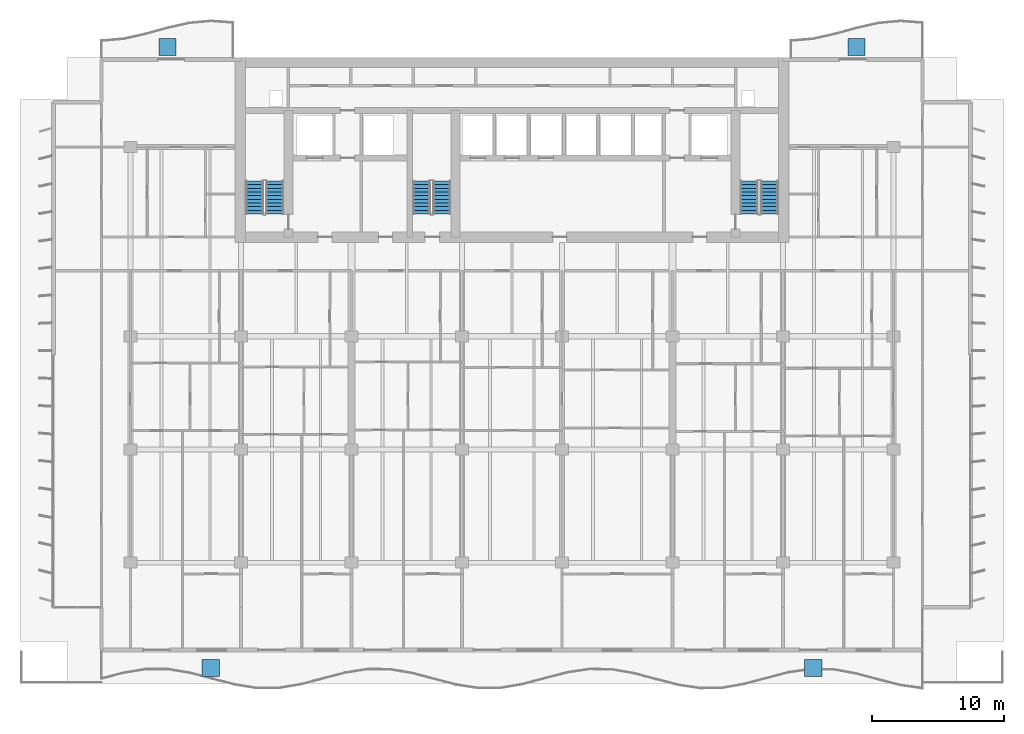
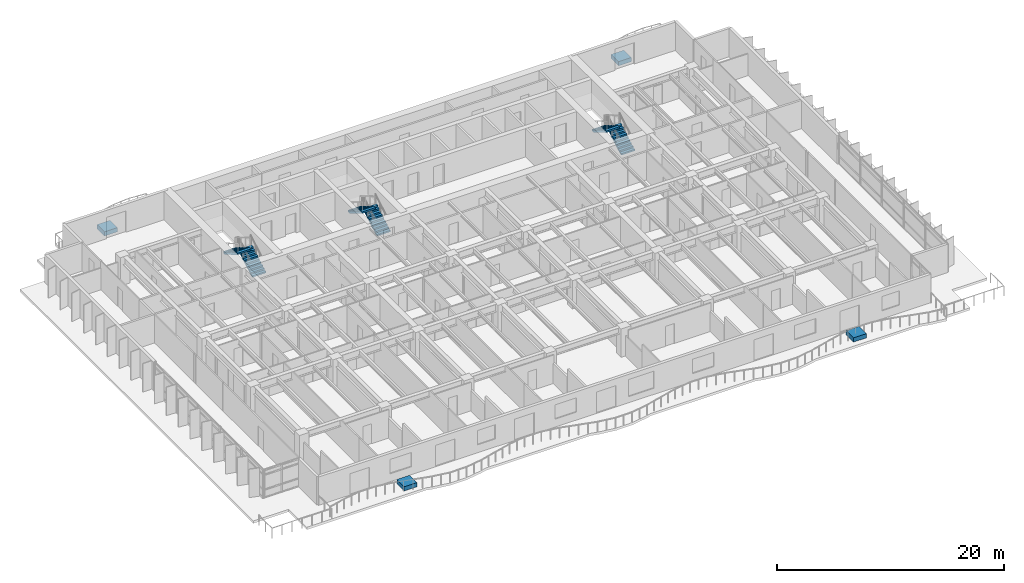
# One storey, part 13 of 17: 6 stair flights, 4 discrete accessories, 3 elements without a shape of their own.
"""IFC4 building model written with IfcOpenShell, lengths in metres."""

import ifcopenshell
import ifcopenshell.guid

model = None  # the IFC model being written
_history = None  # IfcOwnerHistory: only IFC2X3 demands one
_inside = {}  # id of a spatial element -> (the spatial element, [elements in it])
_under = {}  # id of a project, library or spatial element -> (it, [spatial elements below it])
_declared = {}  # id of a project -> (the project, [libraries it declares])
_typed = {}  # id of a type object -> (the type object, [elements of that type])
_made_of = {}  # id of a material, layer set ... -> (it, [elements and type objects made of it])


def new_model(schema):
    """Start an empty IFC model of exactly this schema.

    Asked for "IFC4X3", IfcOpenShell would pick the latest addendum, in which some entities
    have other attributes; the version numbers below select the first issue.
    IFC2X3 requires an IfcOwnerHistory on every rooted entity: one is made here for all.
    """
    global model, _history
    if schema == "IFC4X3":
        model = ifcopenshell.file(schema_version=(4, 3, 0, 0))
    else:
        model = ifcopenshell.file(schema=schema)
    _inside.clear()
    _under.clear()
    _declared.clear()
    _typed.clear()
    _made_of.clear()
    _history = None
    if model.schema == "IFC2X3":
        org = make("IfcOrganization", Name="unknown")
        user = make(
            "IfcPersonAndOrganization",
            ThePerson=make("IfcPerson", FamilyName="unknown"),
            TheOrganization=org,
        )
        app = make(
            "IfcApplication",
            ApplicationDeveloper=org,
            Version="unknown",
            ApplicationFullName="unknown",
            ApplicationIdentifier="unknown",
        )
        _history = make(
            "IfcOwnerHistory",
            OwningUser=user,
            OwningApplication=app,
            ChangeAction="ADDED",
            CreationDate=0,
        )
    return model


def make(cls, **values):
    """One entity of the class cls with the attributes given. An attribute that is None is left unset."""
    return model.create_entity(
        cls, **{name: value for name, value in values.items() if value is not None}
    )


def rooted(cls, **values):
    """An entity with a GlobalId (a new one), such as an element, a storey or a relation."""
    return make(cls, GlobalId=ifcopenshell.guid.new(), OwnerHistory=_history, **values)


def si_unit(unit_type, name, prefix=None):
    """IfcSIUnit, for example si_unit("LENGTHUNIT", "METRE", prefix="MILLI")."""
    return make("IfcSIUnit", UnitType=unit_type, Prefix=prefix, Name=name)


def assignment(units):
    """IfcUnitAssignment: the units of a project."""
    return None if units is None else make("IfcUnitAssignment", Units=units)


def point(xyz):
    """IfcCartesianPoint."""
    return None if xyz is None else make("IfcCartesianPoint", Coordinates=xyz)


def direction(xyz):
    """IfcDirection."""
    return None if xyz is None else make("IfcDirection", DirectionRatios=xyz)


def frame(location, z_axis=None, x_axis=None):
    """IfcAxis2Placement3D, a coordinate frame: its origin and axes. An axis left out is left unset."""
    return make(
        "IfcAxis2Placement3D",
        Location=point(location),
        Axis=direction(z_axis),
        RefDirection=direction(x_axis),
    )


def frame_2d(location, x_axis=None):
    """IfcAxis2Placement2D, a coordinate frame in the plane: its origin and x axis."""
    return make(
        "IfcAxis2Placement2D", Location=point(location), RefDirection=direction(x_axis)
    )


def origin():
    """The frame at (0, 0, 0) with its axes left unset."""
    return frame((0.0, 0.0, 0.0))


def origin_2d():
    """The frame at (0, 0) in the plane with its x axis left unset."""
    return frame_2d((0.0, 0.0))


def place(relative_to, where):
    """IfcLocalPlacement: puts the frame where relative to a parent placement (None: the world)."""
    return make(
        "IfcLocalPlacement", PlacementRelTo=relative_to, RelativePlacement=where
    )


def context(
    kind, dimensions, precision=None, world=None, true_north=None, identifier=None
):
    """IfcGeometricRepresentationContext, for example the 3D "Model" context."""
    return make(
        "IfcGeometricRepresentationContext",
        ContextIdentifier=identifier,
        ContextType=kind,
        CoordinateSpaceDimension=dimensions,
        Precision=precision,
        WorldCoordinateSystem=world,
        TrueNorth=true_north,
    )


def subcontext(parent, identifier, kind, view, scale=None):
    """IfcGeometricRepresentationSubContext, for example "Body" below "Model"."""
    return make(
        "IfcGeometricRepresentationSubContext",
        ContextIdentifier=identifier,
        ContextType=kind,
        ParentContext=parent,
        TargetScale=scale,
        TargetView=view,
    )


def project(units=None, contexts=None):
    """IfcProject with its units and contexts."""
    return rooted(
        "IfcProject",
        Name="project",
        RepresentationContexts=contexts,
        UnitsInContext=assignment(units),
    )


def spatial(cls, under=None, at=None, **own):
    """A site, building, storey or space (cls), placed at a placement, below another one or the project."""
    s = rooted(cls, ObjectPlacement=at, **own)
    if under is not None:
        _under.setdefault(under.id(), (under, []))[1].append(s)
    return s


def polyline(points):
    """IfcPolyline through the points."""
    return make("IfcPolyline", Points=[point(p) for p in points])


def profile(cls, at=None, kind="AREA", **sizes):
    """A parametric profile (cls). Its sizes go by their IFC names, for example OverallWidth=200.0."""
    return make(cls, ProfileType=kind, Position=at, **sizes)


def rectangle(**sizes):
    """IfcRectangleProfileDef."""
    return profile("IfcRectangleProfileDef", **sizes)


def outline(outer, holes=None, kind="AREA"):
    """IfcArbitraryClosedProfileDef: a profile drawn as a closed curve; with holes, ...WithVoids."""
    if holes is None:
        return make("IfcArbitraryClosedProfileDef", ProfileType=kind, OuterCurve=outer)
    return make(
        "IfcArbitraryProfileDefWithVoids",
        ProfileType=kind,
        OuterCurve=outer,
        InnerCurves=holes,
    )


def extrude(swept, where, along, depth):
    """IfcExtrudedAreaSolid: the profile swept, set in the frame where, extruded along a direction by depth."""
    return make(
        "IfcExtrudedAreaSolid",
        SweptArea=swept,
        Position=where,
        ExtrudedDirection=direction(along),
        Depth=depth,
    )


def shape(context_of_items, identifier, shape_type, items):
    """IfcShapeRepresentation: the items that make up one representation, for example the "Body"."""
    return make(
        "IfcShapeRepresentation",
        ContextOfItems=context_of_items,
        RepresentationIdentifier=identifier,
        RepresentationType=shape_type,
        Items=items,
    )


def material(Name=None, Category=None):
    """IfcMaterial."""
    return make("IfcMaterial", Name=Name, Category=Category)


def made_of(thing, what):
    """Note that an element or type object is made of a material, layer set ...; save() writes the relation."""
    if what is not None:
        _made_of.setdefault(what.id(), (what, []))[1].append(thing)
    return thing


def type_object(cls, material=None, **own):
    """A type object (cls), such as IfcWallType, which elements share."""
    return made_of(rooted(cls, **own), material)


def element(
    cls,
    number,
    at=None,
    inside=None,
    cuts=None,
    type_object=None,
    material=None,
    context=None,
    identifier="Body",
    shape_type=None,
    held_by="IfcProductDefinitionShape",
    body=None,
    shapes=None,
    **own,
):
    """One element of the class cls, such as IfcWall. Its Tag is "e" and its number.

    at: its placement. inside: the storey or other place that contains it. cuts: it is an
    opening in that element (IfcRelVoidsElement). A single representation is given by context,
    identifier, shape_type and body (its items); several are given by shapes. held_by: the class
    of the entity that holds the representations. save() writes the other relations.
    """
    e = rooted(cls, Tag="e%d" % number, ObjectPlacement=at, **own)
    if body is not None:
        shapes = [shape(context, identifier, shape_type, body)]
    if shapes is not None:
        e.Representation = make(held_by, Representations=shapes)
    if inside is not None:
        _inside.setdefault(inside.id(), (inside, []))[1].append(e)
    if cuts is not None:
        rooted(
            "IfcRelVoidsElement", RelatingBuildingElement=cuts, RelatedOpeningElement=e
        )
    if type_object is not None:
        _typed.setdefault(type_object.id(), (type_object, []))[1].append(e)
    return made_of(e, material)


def aggregate(whole, parts):
    """IfcRelAggregates: a whole, such as a stair, and the parts it consists of."""
    return rooted("IfcRelAggregates", RelatingObject=whole, RelatedObjects=parts)


def save(model, path):
    """Write the relations noted so far, then the file.

    IfcRelAggregates (storeys below a building ...), IfcRelContainedInSpatialStructure (elements
    in a storey), IfcRelDefinesByType, IfcRelAssociatesMaterial and IfcRelDeclares: one each for
    every whole, place, type object, material and project.
    """
    for whole, parts in _under.values():
        aggregate(whole, parts)
    for where, things in _inside.values():
        rooted(
            "IfcRelContainedInSpatialStructure",
            RelatedElements=things,
            RelatingStructure=where,
        )
    for kind, things in _typed.values():
        rooted("IfcRelDefinesByType", RelatedObjects=things, RelatingType=kind)
    for what, things in _made_of.values():
        rooted("IfcRelAssociatesMaterial", RelatedObjects=things, RelatingMaterial=what)
    for by, libraries in _declared.values():
        rooted("IfcRelDeclares", RelatingContext=by, RelatedDefinitions=libraries)
    model.write(path)


model = new_model("IFC4")

# Units and contexts
model_context = context("Model", 3, precision=1e-05, world=origin(), true_north=direction((0.0, 1.0)))
body_context = subcontext(model_context, "Body", "Model", "MODEL_VIEW")
ifc_project = project(units=[si_unit("LENGTHUNIT", "METRE"), si_unit("AREAUNIT", "SQUARE_METRE"), si_unit("VOLUMEUNIT", "CUBIC_METRE"), si_unit("PLANEANGLEUNIT", "RADIAN"), si_unit("MASSUNIT", "GRAM", prefix="KILO")], contexts=[model_context])

# Site, building, storey
site_placement = place(None, origin())
site = spatial("IfcSite", under=ifc_project, at=site_placement, CompositionType="ELEMENT")
building_placement = place(site_placement, origin())
building = spatial("IfcBuilding", under=site, at=building_placement, Name="Caelmar Bay Residences", CompositionType="ELEMENT")
storey_placement = place(building_placement, frame((0.0, 0.0, 84.60009765625)))
storey = spatial("IfcBuildingStorey", under=building, at=storey_placement, Name="L22", CompositionType="ELEMENT", Elevation=84.60009765625)

# Stair, stair flights
ifc_material_1 = material(Name="Concrete f'c 40 MPa (6,000 psi)", Category="concrete")
stair_type = type_object("IfcStairType", Name="ST-TYP-165", PredefinedType="HALF_TURN_STAIR", material=ifc_material_1)
stair_1_placement = place(storey_placement, origin())
stair_1 = element("IfcStair", 1, at=stair_1_placement, inside=storey, type_object=stair_type, Name="L22 West Smokeproof Exit Stair ST1", PredefinedType="HALF_TURN_STAIR")
stair_flight_type = type_object("IfcStairFlightType", Name="STF-1350", PredefinedType="STRAIGHT", material=ifc_material_1)
stair_flight_1_placement = place(storey_placement, frame((20.875, 38.699951171875, 0.0), z_axis=(0.0, 0.0, 1.0), x_axis=(0.0, 1.0, 0.0)))
stair_flight_1 = element("IfcStairFlight", 2, at=stair_flight_1_placement, type_object=stair_flight_type, Name="ST1 flight 1", NumberOfRisers=10, NumberOfTreads=9, PredefinedType="STRAIGHT", RiserHeight=0.165, TreadLength=0.28, context=body_context, shape_type="SweptSolid", body=[
    extrude(outline(polyline([(0.0, 0.0), (0.0, 0.1650390625), (0.280029296875, 0.1650390625), (0.280029296875, 0.330078125), (0.56005859375, 0.330078125), (0.56005859375, 0.4951171875), (0.840087890625, 0.4951171875), (0.840087890625, 0.659912109375), (1.1201171875, 0.659912109375), (1.1201171875, 0.824951171875), (1.39990234375, 0.824951171875), (1.39990234375, 0.989990234375), (1.679931640625, 0.989990234375), (1.679931640625, 1.155029296875), (1.9599609375, 1.155029296875), (1.9599609375, 1.320068359375), (2.239990234375, 1.320068359375), (2.239990234375, 1.485107421875), (2.52001953125, 1.485107421875), (2.52001953125, 1.64990234375), (2.52001953125, 1.31103515625), (0.295166015625, 0.0), (0.0, 0.0)])), frame((0.0, 0.675048828125, 0.0), z_axis=(0.0, -1.0, 0.0), x_axis=(1.0, 0.0, 0.0)), (0.0, 0.0, 1.0), 1.35009765625),
])
stair_flight_2_placement = place(storey_placement, frame((19.324951171875, 41.219970703125, 1.64990234375), z_axis=(0.0, 0.0, 1.0), x_axis=(0.0, -1.0, 0.0)))
stair_flight_2 = element("IfcStairFlight", 3, at=stair_flight_2_placement, type_object=stair_flight_type, Name="ST1 flight 2", NumberOfRisers=10, NumberOfTreads=9, PredefinedType="STRAIGHT", RiserHeight=0.165, TreadLength=0.28, context=body_context, shape_type="SweptSolid", body=[
    extrude(outline(polyline([(0.0, 0.0), (0.0, 0.1650390625), (0.280029296875, 0.1650390625), (0.280029296875, 0.330078125), (0.56005859375, 0.330078125), (0.56005859375, 0.4951171875), (0.840087890625, 0.4951171875), (0.840087890625, 0.659912109375), (1.1201171875, 0.659912109375), (1.1201171875, 0.824951171875), (1.39990234375, 0.824951171875), (1.39990234375, 0.989990234375), (1.679931640625, 0.989990234375), (1.679931640625, 1.155029296875), (1.9599609375, 1.155029296875), (1.9599609375, 1.320068359375), (2.239990234375, 1.320068359375), (2.239990234375, 1.485107421875), (2.52001953125, 1.485107421875), (2.52001953125, 1.64990234375), (2.52001953125, 1.31103515625), (0.295166015625, 0.0), (0.0, 0.0)])), frame((0.0, 0.675048828125, 0.0), z_axis=(0.0, -1.0, 0.0), x_axis=(1.0, 0.0, 0.0)), (0.0, 0.0, 1.0), 1.35009765625),
])
aggregate(stair_1, [stair_flight_1, stair_flight_2])

stair_2_placement = place(storey_placement, origin())
stair_2 = element("IfcStair", 4, at=stair_2_placement, inside=storey, type_object=stair_type, Name="L22 East Smokeproof Exit Stair ST2", PredefinedType="HALF_TURN_STAIR")
stair_flight_3_placement = place(storey_placement, frame((58.47509765625, 38.699951171875, 0.0), z_axis=(0.0, 0.0, 1.0), x_axis=(0.0, 1.0, 0.0)))
stair_flight_3 = element("IfcStairFlight", 5, at=stair_flight_3_placement, type_object=stair_flight_type, Name="ST2 flight 1", NumberOfRisers=10, NumberOfTreads=9, PredefinedType="STRAIGHT", RiserHeight=0.165, TreadLength=0.28, context=body_context, shape_type="SweptSolid", body=[
    extrude(outline(polyline([(0.0, 0.0), (0.0, 0.1650390625), (0.280029296875, 0.1650390625), (0.280029296875, 0.330078125), (0.56005859375, 0.330078125), (0.56005859375, 0.4951171875), (0.840087890625, 0.4951171875), (0.840087890625, 0.659912109375), (1.1201171875, 0.659912109375), (1.1201171875, 0.824951171875), (1.39990234375, 0.824951171875), (1.39990234375, 0.989990234375), (1.679931640625, 0.989990234375), (1.679931640625, 1.155029296875), (1.9599609375, 1.155029296875), (1.9599609375, 1.320068359375), (2.239990234375, 1.320068359375), (2.239990234375, 1.485107421875), (2.52001953125, 1.485107421875), (2.52001953125, 1.64990234375), (2.52001953125, 1.31103515625), (0.295166015625, 0.0), (0.0, 0.0)])), frame((0.0, 0.675048828125, 0.0), z_axis=(0.0, -1.0, 0.0), x_axis=(1.0, 0.0, 0.0)), (0.0, 0.0, 1.0), 1.35009765625),
])
stair_flight_4_placement = place(storey_placement, frame((56.925048828125, 41.219970703125, 1.64990234375), z_axis=(0.0, 0.0, 1.0), x_axis=(0.0, -1.0, 0.0)))
stair_flight_4 = element("IfcStairFlight", 6, at=stair_flight_4_placement, type_object=stair_flight_type, Name="ST2 flight 2", NumberOfRisers=10, NumberOfTreads=9, PredefinedType="STRAIGHT", RiserHeight=0.165, TreadLength=0.28, context=body_context, shape_type="SweptSolid", body=[
    extrude(outline(polyline([(0.0, 0.0), (0.0, 0.1650390625), (0.280029296875, 0.1650390625), (0.280029296875, 0.330078125), (0.56005859375, 0.330078125), (0.56005859375, 0.4951171875), (0.840087890625, 0.4951171875), (0.840087890625, 0.659912109375), (1.1201171875, 0.659912109375), (1.1201171875, 0.824951171875), (1.39990234375, 0.824951171875), (1.39990234375, 0.989990234375), (1.679931640625, 0.989990234375), (1.679931640625, 1.155029296875), (1.9599609375, 1.155029296875), (1.9599609375, 1.320068359375), (2.239990234375, 1.320068359375), (2.239990234375, 1.485107421875), (2.52001953125, 1.485107421875), (2.52001953125, 1.64990234375), (2.52001953125, 1.31103515625), (0.295166015625, 0.0), (0.0, 0.0)])), frame((0.0, 0.675048828125, 0.0), z_axis=(0.0, -1.0, 0.0), x_axis=(1.0, 0.0, 0.0)), (0.0, 0.0, 1.0), 1.35009765625),
])
aggregate(stair_2, [stair_flight_3, stair_flight_4])

stair_3_placement = place(storey_placement, origin())
stair_3 = element("IfcStair", 7, at=stair_3_placement, inside=storey, type_object=stair_type, Name="L22 Central Smokeproof Exit Stair ST3", PredefinedType="HALF_TURN_STAIR")
stair_flight_5_placement = place(storey_placement, frame((33.574951171875, 38.699951171875, 0.0), z_axis=(0.0, 0.0, 1.0), x_axis=(0.0, 1.0, 0.0)))
stair_flight_5 = element("IfcStairFlight", 8, at=stair_flight_5_placement, type_object=stair_flight_type, Name="ST3 flight 1", NumberOfRisers=10, NumberOfTreads=9, PredefinedType="STRAIGHT", RiserHeight=0.165, TreadLength=0.28, context=body_context, shape_type="SweptSolid", body=[
    extrude(outline(polyline([(0.0, 0.0), (0.0, 0.1650390625), (0.280029296875, 0.1650390625), (0.280029296875, 0.330078125), (0.56005859375, 0.330078125), (0.56005859375, 0.4951171875), (0.840087890625, 0.4951171875), (0.840087890625, 0.659912109375), (1.1201171875, 0.659912109375), (1.1201171875, 0.824951171875), (1.39990234375, 0.824951171875), (1.39990234375, 0.989990234375), (1.679931640625, 0.989990234375), (1.679931640625, 1.155029296875), (1.9599609375, 1.155029296875), (1.9599609375, 1.320068359375), (2.239990234375, 1.320068359375), (2.239990234375, 1.485107421875), (2.52001953125, 1.485107421875), (2.52001953125, 1.64990234375), (2.52001953125, 1.31103515625), (0.295166015625, 0.0), (0.0, 0.0)])), frame((0.0, 0.675048828125, 0.0), z_axis=(0.0, -1.0, 0.0), x_axis=(1.0, 0.0, 0.0)), (0.0, 0.0, 1.0), 1.35009765625),
])
stair_flight_6_placement = place(storey_placement, frame((32.02490234375, 41.219970703125, 1.64990234375), z_axis=(0.0, 0.0, 1.0), x_axis=(0.0, -1.0, 0.0)))
stair_flight_6 = element("IfcStairFlight", 9, at=stair_flight_6_placement, type_object=stair_flight_type, Name="ST3 flight 2", NumberOfRisers=10, NumberOfTreads=9, PredefinedType="STRAIGHT", RiserHeight=0.165, TreadLength=0.28, context=body_context, shape_type="SweptSolid", body=[
    extrude(outline(polyline([(0.0, 0.0), (0.0, 0.1650390625), (0.280029296875, 0.1650390625), (0.280029296875, 0.330078125), (0.56005859375, 0.330078125), (0.56005859375, 0.4951171875), (0.840087890625, 0.4951171875), (0.840087890625, 0.659912109375), (1.1201171875, 0.659912109375), (1.1201171875, 0.824951171875), (1.39990234375, 0.824951171875), (1.39990234375, 0.989990234375), (1.679931640625, 0.989990234375), (1.679931640625, 1.155029296875), (1.9599609375, 1.155029296875), (1.9599609375, 1.320068359375), (2.239990234375, 1.320068359375), (2.239990234375, 1.485107421875), (2.52001953125, 1.485107421875), (2.52001953125, 1.64990234375), (2.52001953125, 1.31103515625), (0.295166015625, 0.0), (0.0, 0.0)])), frame((0.0, 0.675048828125, 0.0), z_axis=(0.0, -1.0, 0.0), x_axis=(1.0, 0.0, 0.0)), (0.0, 0.0, 1.0), 1.35009765625),
])
aggregate(stair_3, [stair_flight_5, stair_flight_6])

# Discrete accessories
ifc_material_2 = material(Name="Precast concrete f'c 40 MPa (6,000 psi)", Category="concrete")
discrete_accessory_type = type_object("IfcDiscreteAccessoryType", Name="STR-PLANTER-KERB-450", PredefinedType="USERDEFINED", material=ifc_material_2)
for number, where, z_axis, x_axis, name in (
    (10, (12.699951171875, 51.39990234375, 0.0), (0.0, 0.0, 1.0), (1.0, 0.0, 0.0), "L22 north_west Structural Tree Planter Kerb"),
    (11, (65.10009765625, 51.39990234375, 0.0), (0.0, 0.0, 1.0), (1.0, 0.0, 0.0), "L22 north_east Structural Tree Planter Kerb"),
    (12, (16.0, 4.199951171875, 0.0), (0.0, 0.0, 1.0), (1.0, 0.0, 0.0), "L22 Sky-Terrace Structural Tree Planter Kerb 1"),
    (13, (61.800048828125, 4.199951171875, 0.0), (0.0, 0.0, 1.0), (1.0, 0.0, 0.0), "L22 Sky-Terrace Structural Tree Planter Kerb 2"),
):
    element("IfcDiscreteAccessory", number, at=place(storey_placement, frame(where, z_axis=z_axis, x_axis=x_axis)), inside=storey, type_object=discrete_accessory_type, Name=name, ObjectType="PLANTER", PredefinedType="USERDEFINED", context=body_context, shape_type="SweptSolid", body=[
        extrude(rectangle(XDim=1.300048828125, YDim=1.300048828125, at=origin_2d()), origin(), (0.0, 0.0, 1.0), 0.449951171875),
    ])

save(model, "model.ifc")
